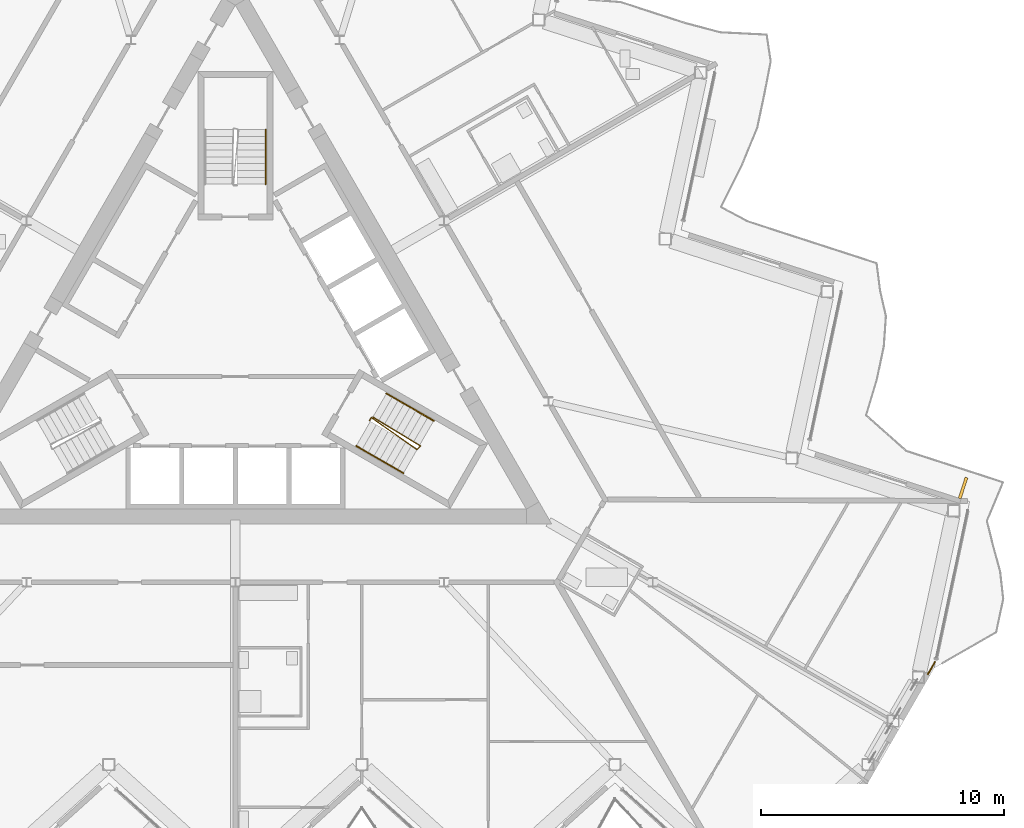
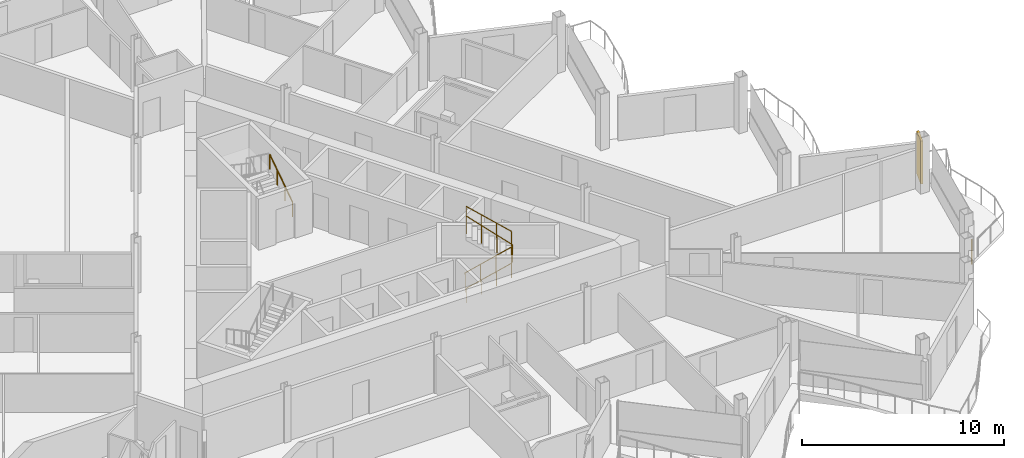
# One storey, part 23 of 27: 5 railings, 1 shading device.
"""IFC4 building model written with IfcOpenShell, lengths in metres."""

from ifc_helpers import new_model, si_unit, direction, frame, origin, origin_2d, place, context, subcontext, project, spatial, rectangle, circle, extrude, material, layer, layer_set, type_object, element, save


model = new_model("IFC4")

# Units and contexts
model_context = context("Model", 3, precision=1e-05, world=origin(), true_north=direction((0.0, 1.0)))
body_context = subcontext(model_context, "Body", "Model", "MODEL_VIEW")
ifc_project = project(units=[si_unit("LENGTHUNIT", "METRE"), si_unit("AREAUNIT", "SQUARE_METRE"), si_unit("VOLUMEUNIT", "CUBIC_METRE"), si_unit("PLANEANGLEUNIT", "RADIAN"), si_unit("MASSUNIT", "GRAM", prefix="KILO")], contexts=[model_context])

# Site, building, storey
site_placement = place(None, origin())
site = spatial("IfcSite", under=ifc_project, at=site_placement, CompositionType="ELEMENT")
building_placement = place(site_placement, origin())
building = spatial("IfcBuilding", under=site, at=building_placement, Name="Cormorant Prow Tower", CompositionType="ELEMENT")
storey_placement = place(building_placement, frame((0.0, 0.0, 361.0)))
storey = spatial("IfcBuildingStorey", under=building, at=storey_placement, Name="L80", CompositionType="ELEMENT", Elevation=361.0)

# Railings
ifc_material_1 = material(Name="Stainless steel", Category="steel")
railing_type_1 = type_object("IfcRailingType", Name="Facade corner guard 1100", PredefinedType="GUARDRAIL", material=ifc_material_1)
railing_1_placement = place(storey_placement, frame((28.7548828125, -13.18505859375, 0.0)))
element("IfcRailing", 1, at=railing_1_placement, inside=storey, type_object=railing_type_1, Name="Facade corner guard L80 1", PredefinedType="GUARDRAIL", context=body_context, shape_type="SweptSolid", body=[
    extrude(circle(Radius=0.02392578125, at=origin_2d()), frame((0.0, 0.0, 1.076171875), z_axis=(-0.495685716803, -0.868501969, 0.0), x_axis=(0.868501969, -0.495685716803, 0.0)), (0.0, 0.0, 1.0), 0.580322265625),
    extrude(circle(Radius=0.02099609375, at=origin_2d()), origin(), (0.0, 0.0, 1.0), 1.052001953125),
    extrude(circle(Radius=0.02099609375, at=origin_2d()), frame((-0.28759765625, -0.50390625, 0.0)), (0.0, 0.0, 1.0), 1.052001953125),
])
ifc_material_2 = material(Name="Stainless steel", Category="steel")
railing_type_2 = type_object("IfcRailingType", Name="Stair guard 1100", PredefinedType="GUARDRAIL", material=ifc_material_2)
railing_2_placement = place(storey_placement, frame((5.510009765625, -3.267822265625, 0.0)))
element("IfcRailing", 2, at=railing_2_placement, inside=storey, type_object=railing_type_2, Name="L80 ST2 stair guard 1", PredefinedType="GUARDRAIL", context=body_context, shape_type="SweptSolid", body=[
    extrude(circle(Radius=0.02392578125, at=origin_2d()), frame((0.0, 0.0, 1.076171875), z_axis=(0.501036270542, 0.865426285481, 0.0), x_axis=(-0.865426285481, 0.501036270542, 0.0)), (0.0, 0.0, 1.0), 0.150146484375),
    extrude(circle(Radius=0.02392578125, at=origin_2d()), frame((0.0751953125, 0.1298828125, 1.076171875), z_axis=(0.658670593711, -0.461060875852, 0.594622500196), x_axis=(0.573455215813, 0.819236910458, 0.0)), (0.0, 0.0, 1.0), 2.85888671875),
    extrude(circle(Radius=0.02392578125, at=origin_2d()), frame((1.958251953125, -1.188232421875, 2.77587890625), z_axis=(0.695164929852, 0.718850276695, 0.0), x_axis=(-0.718850276695, 0.695164929852, 0.0)), (0.0, 0.0, 1.0), 0.2060546875),
    extrude(circle(Radius=0.02392578125, at=origin_2d()), frame((2.1015625, -1.0400390625, 2.77587890625), z_axis=(-0.686515364547, 0.416565300991, 0.595961411712), x_axis=(-0.518752825935, -0.854924268918, 0.0)), (0.0, 0.0, 1.0), 2.8525390625),
    extrude(circle(Radius=0.02099609375, at=origin_2d()), origin(), (0.0, 0.0, 1.0), 1.052001953125),
    extrude(circle(Radius=0.02099609375, at=origin_2d()), frame((0.0751953125, 0.1298828125, 0.0)), (0.0, 0.0, 1.0), 1.052001953125),
    extrude(circle(Radius=0.02099609375, at=origin_2d()), frame((0.702880859375, -0.3095703125, 0.566650390625)), (0.0, 0.0, 1.0), 1.052001953125),
    extrude(circle(Radius=0.02099609375, at=origin_2d()), frame((1.33056640625, -0.748779296875, 1.13330078125)), (0.0, 0.0, 1.0), 1.052001953125),
    extrude(circle(Radius=0.02099609375, at=origin_2d()), frame((1.958251953125, -1.188232421875, 1.699951171875)), (0.0, 0.0, 1.0), 1.052001953125),
    extrude(circle(Radius=0.02099609375, at=origin_2d()), frame((2.1015625, -1.0400390625, 1.699951171875)), (0.0, 0.0, 1.0), 1.052001953125),
    extrude(circle(Radius=0.02099609375, at=origin_2d()), frame((1.44873046875, -0.64404296875, 2.2666015625)), (0.0, 0.0, 1.0), 1.052001953125),
    extrude(circle(Radius=0.02099609375, at=origin_2d()), frame((0.796142578125, -0.247802734375, 2.833251953125)), (0.0, 0.0, 1.0), 1.052001953125),
    extrude(circle(Radius=0.02099609375, at=origin_2d()), frame((0.143310546875, 0.148193359375, 3.39990234375)), (0.0, 0.0, 1.0), 1.052001953125),
])
ifc_material_3 = material(Name="Stainless steel", Category="steel")
railing_type_3 = type_object("IfcRailingType", Name="Stair handrail 900", PredefinedType="HANDRAIL", material=ifc_material_3)
railing_3_placement = place(storey_placement, frame((4.968994140625, -4.30517578125, 0.18896484375)))
element("IfcRailing", 3, at=railing_3_placement, inside=storey, type_object=railing_type_3, Name="L80 ST2 stair handrail 1", PredefinedType="HANDRAIL", context=body_context, shape_type="SweptSolid", body=[
    extrude(circle(Radius=0.02392578125, at=origin_2d()), frame((0.0, 0.0, 0.8759765625), z_axis=(0.71790592183, -0.414569209485, 0.559234707389), x_axis=(0.500077830873, 0.865980463445, 0.0)), (0.0, 0.0, 1.0), 2.701904296875),
    extrude(circle(Radius=0.02099609375, at=origin_2d()), origin(), (0.0, 0.0, 1.0), 0.851806640625),
    extrude(circle(Radius=0.02099609375, at=origin_2d()), frame((0.646484375, -0.373291015625, 0.503662109375)), (0.0, 0.0, 1.0), 0.851806640625),
    extrude(circle(Radius=0.02099609375, at=origin_2d()), frame((1.293212890625, -0.746826171875, 1.00732421875)), (0.0, 0.0, 1.0), 0.851806640625),
    extrude(circle(Radius=0.02099609375, at=origin_2d()), frame((1.939697265625, -1.1201171875, 1.510986328125)), (0.0, 0.0, 1.0), 0.851806640625),
])
railing_4_placement = place(storey_placement, frame((8.15283203125, -3.2705078125, 1.888916015625)))
element("IfcRailing", 4, at=railing_4_placement, inside=storey, type_object=railing_type_3, Name="L80 ST2 stair handrail 2", PredefinedType="HANDRAIL", context=body_context, shape_type="SweptSolid", body=[
    extrude(circle(Radius=0.02392578125, at=origin_2d()), frame((0.0, 0.0, 0.8759765625), z_axis=(-0.717976596433, 0.414467486514, 0.559219375198), x_axis=(-0.49994888933, -0.866054910533, 0.0)), (0.0, 0.0, 1.0), 2.701904296875),
    extrude(circle(Radius=0.02099609375, at=origin_2d()), origin(), (0.0, 0.0, 1.0), 0.851806640625),
    extrude(circle(Radius=0.02099609375, at=origin_2d()), frame((-0.646728515625, 0.373291015625, 0.503662109375)), (0.0, 0.0, 1.0), 0.851806640625),
    extrude(circle(Radius=0.02099609375, at=origin_2d()), frame((-1.293212890625, 0.74658203125, 1.00732421875)), (0.0, 0.0, 1.0), 0.851806640625),
    extrude(circle(Radius=0.02099609375, at=origin_2d()), frame((-1.93994140625, 1.119873046875, 1.510986328125)), (0.0, 0.0, 1.0), 0.851806640625),
])
railing_5_placement = place(storey_placement, frame((1.243896484375, 6.455810546875, 0.18896484375)))
element("IfcRailing", 5, at=railing_5_placement, inside=storey, type_object=railing_type_3, Name="L80 ST3 stair handrail 1", PredefinedType="HANDRAIL", context=body_context, shape_type="SweptSolid", body=[
    extrude(circle(Radius=0.02392578125, at=origin_2d()), frame((0.0, 0.0, 0.8759765625), z_axis=(0.0, 0.829021472004, 0.559216772778), x_axis=(-1.0, 0.0, 0.0)), (0.0, 0.0, 1.0), 2.701904296875),
    extrude(circle(Radius=0.02099609375, at=origin_2d()), origin(), (0.0, 0.0, 1.0), 0.851806640625),
    extrude(circle(Radius=0.02099609375, at=origin_2d()), frame((0.0, 0.74658203125, 0.503662109375)), (0.0, 0.0, 1.0), 0.851806640625),
    extrude(circle(Radius=0.02099609375, at=origin_2d()), frame((0.0, 1.493408203125, 1.00732421875)), (0.0, 0.0, 1.0), 0.851806640625),
    extrude(circle(Radius=0.02099609375, at=origin_2d()), frame((0.0, 2.239990234375, 1.510986328125)), (0.0, 0.0, 1.0), 0.851806640625),
])

# Shading device
ifc_material_4 = material(Name="Terracotta", Category="masonry")
ifc_layer = layer(ifc_material_4, 0.1201171875)
ifc_layer_set = layer_set([ifc_layer], Name="Terracotta")
shading_device_type = type_object("IfcShadingDeviceType", Name="Terracotta baguette fin 120x900x2600", PredefinedType="USERDEFINED", material=ifc_layer_set)
shading_device_placement = place(storey_placement, frame((29.913330078125, -6.033935546875, 0.0), z_axis=(0.0, 0.0, 1.0), x_axis=(-0.951056506549, 0.309017024369, 0.0)))
element("IfcShadingDevice", 6, at=shading_device_placement, inside=storey, type_object=shading_device_type, Name="Baguette fin ENE01", ObjectType="BAGUETTE", PredefinedType="USERDEFINED", context=body_context, shape_type="SweptSolid", body=[
    extrude(rectangle(XDim=0.1201171875, YDim=0.89990234375, at=origin_2d()), origin(), (0.0, 0.0, 1.0), 2.60009765625),
])

save(model, "model.ifc")
